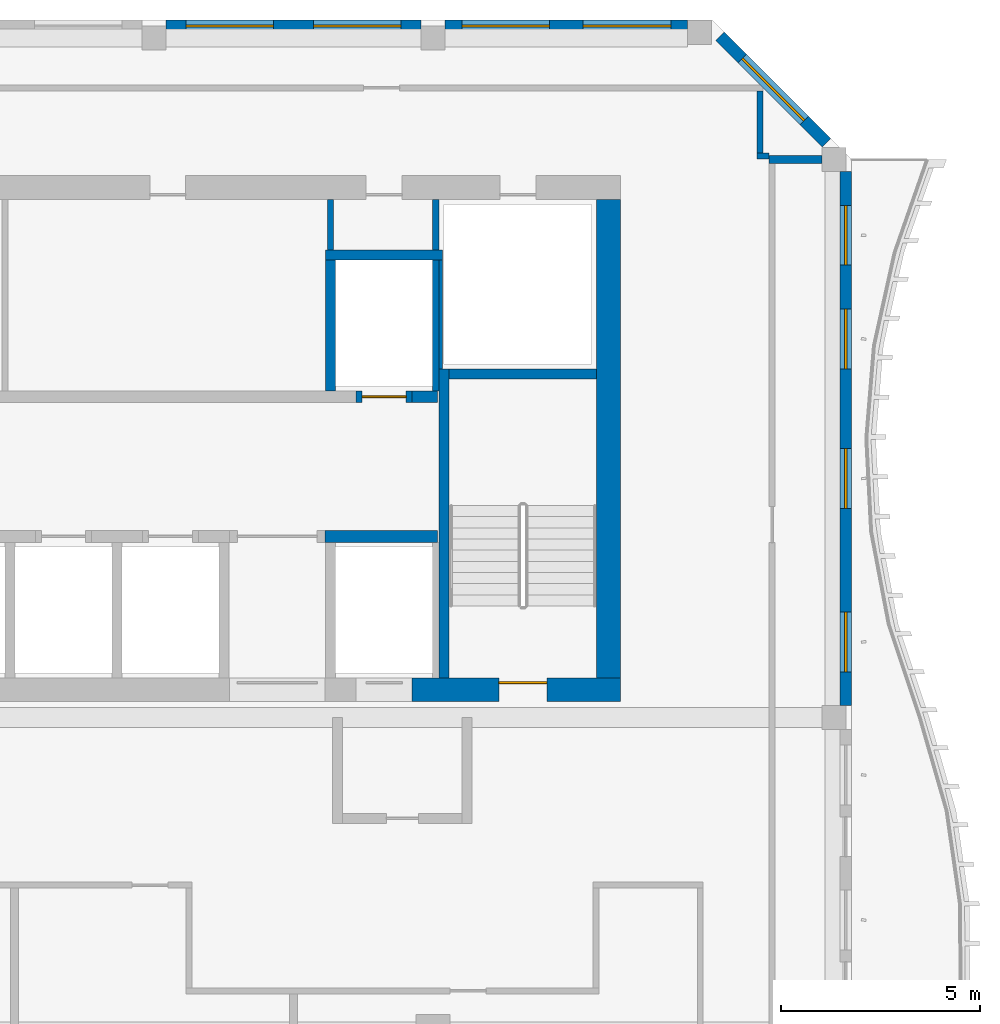
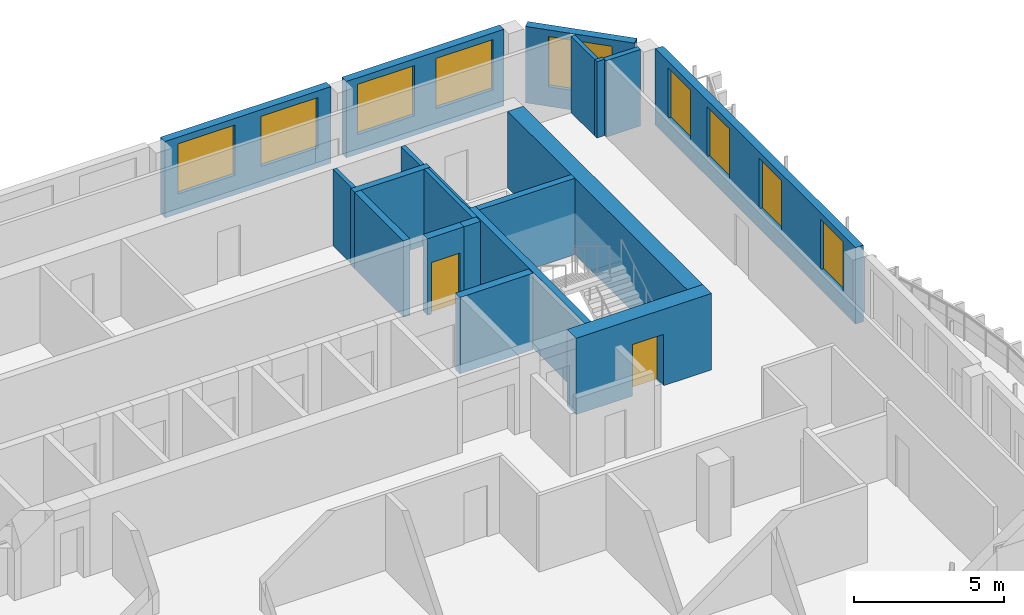
# One storey, part 8 of 17: 20 walls, 9 windows, 2 doors, 11 openings.
"""IFC4 building model written with IfcOpenShell, lengths in metres."""

import ifcopenshell
import ifcopenshell.guid

model = None  # the IFC model being written
_history = None  # IfcOwnerHistory: only IFC2X3 demands one
_inside = {}  # id of a spatial element -> (the spatial element, [elements in it])
_under = {}  # id of a project, library or spatial element -> (it, [spatial elements below it])
_declared = {}  # id of a project -> (the project, [libraries it declares])
_typed = {}  # id of a type object -> (the type object, [elements of that type])
_made_of = {}  # id of a material, layer set ... -> (it, [elements and type objects made of it])


def new_model(schema):
    """Start an empty IFC model of exactly this schema.

    Asked for "IFC4X3", IfcOpenShell would pick the latest addendum, in which some entities
    have other attributes; the version numbers below select the first issue.
    IFC2X3 requires an IfcOwnerHistory on every rooted entity: one is made here for all.
    """
    global model, _history
    if schema == "IFC4X3":
        model = ifcopenshell.file(schema_version=(4, 3, 0, 0))
    else:
        model = ifcopenshell.file(schema=schema)
    _inside.clear()
    _under.clear()
    _declared.clear()
    _typed.clear()
    _made_of.clear()
    _history = None
    if model.schema == "IFC2X3":
        org = make("IfcOrganization", Name="unknown")
        user = make(
            "IfcPersonAndOrganization",
            ThePerson=make("IfcPerson", FamilyName="unknown"),
            TheOrganization=org,
        )
        app = make(
            "IfcApplication",
            ApplicationDeveloper=org,
            Version="unknown",
            ApplicationFullName="unknown",
            ApplicationIdentifier="unknown",
        )
        _history = make(
            "IfcOwnerHistory",
            OwningUser=user,
            OwningApplication=app,
            ChangeAction="ADDED",
            CreationDate=0,
        )
    return model


def make(cls, **values):
    """One entity of the class cls with the attributes given. An attribute that is None is left unset."""
    return model.create_entity(
        cls, **{name: value for name, value in values.items() if value is not None}
    )


def rooted(cls, **values):
    """An entity with a GlobalId (a new one), such as an element, a storey or a relation."""
    return make(cls, GlobalId=ifcopenshell.guid.new(), OwnerHistory=_history, **values)


def si_unit(unit_type, name, prefix=None):
    """IfcSIUnit, for example si_unit("LENGTHUNIT", "METRE", prefix="MILLI")."""
    return make("IfcSIUnit", UnitType=unit_type, Prefix=prefix, Name=name)


def assignment(units):
    """IfcUnitAssignment: the units of a project."""
    return None if units is None else make("IfcUnitAssignment", Units=units)


def point(xyz):
    """IfcCartesianPoint."""
    return None if xyz is None else make("IfcCartesianPoint", Coordinates=xyz)


def direction(xyz):
    """IfcDirection."""
    return None if xyz is None else make("IfcDirection", DirectionRatios=xyz)


def frame(location, z_axis=None, x_axis=None):
    """IfcAxis2Placement3D, a coordinate frame: its origin and axes. An axis left out is left unset."""
    return make(
        "IfcAxis2Placement3D",
        Location=point(location),
        Axis=direction(z_axis),
        RefDirection=direction(x_axis),
    )


def frame_2d(location, x_axis=None):
    """IfcAxis2Placement2D, a coordinate frame in the plane: its origin and x axis."""
    return make(
        "IfcAxis2Placement2D", Location=point(location), RefDirection=direction(x_axis)
    )


def origin():
    """The frame at (0, 0, 0) with its axes left unset."""
    return frame((0.0, 0.0, 0.0))


def place(relative_to, where):
    """IfcLocalPlacement: puts the frame where relative to a parent placement (None: the world)."""
    return make(
        "IfcLocalPlacement", PlacementRelTo=relative_to, RelativePlacement=where
    )


def context(
    kind, dimensions, precision=None, world=None, true_north=None, identifier=None
):
    """IfcGeometricRepresentationContext, for example the 3D "Model" context."""
    return make(
        "IfcGeometricRepresentationContext",
        ContextIdentifier=identifier,
        ContextType=kind,
        CoordinateSpaceDimension=dimensions,
        Precision=precision,
        WorldCoordinateSystem=world,
        TrueNorth=true_north,
    )


def subcontext(parent, identifier, kind, view, scale=None):
    """IfcGeometricRepresentationSubContext, for example "Body" below "Model"."""
    return make(
        "IfcGeometricRepresentationSubContext",
        ContextIdentifier=identifier,
        ContextType=kind,
        ParentContext=parent,
        TargetScale=scale,
        TargetView=view,
    )


def project(units=None, contexts=None):
    """IfcProject with its units and contexts."""
    return rooted(
        "IfcProject",
        Name="project",
        RepresentationContexts=contexts,
        UnitsInContext=assignment(units),
    )


def spatial(cls, under=None, at=None, **own):
    """A site, building, storey or space (cls), placed at a placement, below another one or the project."""
    s = rooted(cls, ObjectPlacement=at, **own)
    if under is not None:
        _under.setdefault(under.id(), (under, []))[1].append(s)
    return s


def profile(cls, at=None, kind="AREA", **sizes):
    """A parametric profile (cls). Its sizes go by their IFC names, for example OverallWidth=200.0."""
    return make(cls, ProfileType=kind, Position=at, **sizes)


def rectangle(**sizes):
    """IfcRectangleProfileDef."""
    return profile("IfcRectangleProfileDef", **sizes)


def extrude(swept, where, along, depth):
    """IfcExtrudedAreaSolid: the profile swept, set in the frame where, extruded along a direction by depth."""
    return make(
        "IfcExtrudedAreaSolid",
        SweptArea=swept,
        Position=where,
        ExtrudedDirection=direction(along),
        Depth=depth,
    )


def shape(context_of_items, identifier, shape_type, items):
    """IfcShapeRepresentation: the items that make up one representation, for example the "Body"."""
    return make(
        "IfcShapeRepresentation",
        ContextOfItems=context_of_items,
        RepresentationIdentifier=identifier,
        RepresentationType=shape_type,
        Items=items,
    )


def source(mapping_origin, context_of_items, identifier, shape_type, items):
    """IfcRepresentationMap: a shape defined once, which mapped items show again and again."""
    return make(
        "IfcRepresentationMap",
        MappingOrigin=mapping_origin,
        MappedRepresentation=shape(context_of_items, identifier, shape_type, items),
    )


def transform(
    local_origin,
    x_axis=None,
    y_axis=None,
    z_axis=None,
    scale=None,
    scale2=None,
    scale3=None,
    uniform=True,
):
    """IfcCartesianTransformationOperator3D, or its non-uniform kind. x_axis, y_axis, z_axis: its Axis1, 2, 3."""
    if uniform:
        return make(
            "IfcCartesianTransformationOperator3D",
            Axis1=direction(x_axis),
            Axis2=direction(y_axis),
            LocalOrigin=point(local_origin),
            Scale=scale,
            Axis3=direction(z_axis),
        )
    return make(
        "IfcCartesianTransformationOperator3DnonUniform",
        Axis1=direction(x_axis),
        Axis2=direction(y_axis),
        LocalOrigin=point(local_origin),
        Scale=scale,
        Axis3=direction(z_axis),
        Scale2=scale2,
        Scale3=scale3,
    )


def mapped(mapping_source, mapping_target):
    """IfcMappedItem: shows the shape of a source again, moved by a transform."""
    return make(
        "IfcMappedItem", MappingSource=mapping_source, MappingTarget=mapping_target
    )


def material(Name=None, Category=None):
    """IfcMaterial."""
    return make("IfcMaterial", Name=Name, Category=Category)


def layer(
    of_material, thickness, ventilated=None, Name=None, Category=None, Priority=None
):
    """IfcMaterialLayer: one layer of a wall or slab, of a material (None: an air gap)."""
    return make(
        "IfcMaterialLayer",
        Material=of_material,
        LayerThickness=thickness,
        IsVentilated=ventilated,
        Name=Name,
        Category=Category,
        Priority=Priority,
    )


def layer_set(layers, Name=None):
    """IfcMaterialLayerSet."""
    return make("IfcMaterialLayerSet", MaterialLayers=layers, LayerSetName=Name)


def made_of(thing, what):
    """Note that an element or type object is made of a material, layer set ...; save() writes the relation."""
    if what is not None:
        _made_of.setdefault(what.id(), (what, []))[1].append(thing)
    return thing


def type_object(cls, material=None, **own):
    """A type object (cls), such as IfcWallType, which elements share."""
    return made_of(rooted(cls, **own), material)


def element(
    cls,
    number,
    at=None,
    inside=None,
    cuts=None,
    type_object=None,
    material=None,
    context=None,
    identifier="Body",
    shape_type=None,
    held_by="IfcProductDefinitionShape",
    body=None,
    shapes=None,
    **own,
):
    """One element of the class cls, such as IfcWall. Its Tag is "e" and its number.

    at: its placement. inside: the storey or other place that contains it. cuts: it is an
    opening in that element (IfcRelVoidsElement). A single representation is given by context,
    identifier, shape_type and body (its items); several are given by shapes. held_by: the class
    of the entity that holds the representations. save() writes the other relations.
    """
    e = rooted(cls, Tag="e%d" % number, ObjectPlacement=at, **own)
    if body is not None:
        shapes = [shape(context, identifier, shape_type, body)]
    if shapes is not None:
        e.Representation = make(held_by, Representations=shapes)
    if inside is not None:
        _inside.setdefault(inside.id(), (inside, []))[1].append(e)
    if cuts is not None:
        rooted(
            "IfcRelVoidsElement", RelatingBuildingElement=cuts, RelatedOpeningElement=e
        )
    if type_object is not None:
        _typed.setdefault(type_object.id(), (type_object, []))[1].append(e)
    return made_of(e, material)


def fill(opening, filler):
    """IfcRelFillsElement: the door or window that sits in an opening."""
    return rooted(
        "IfcRelFillsElement",
        RelatingOpeningElement=opening,
        RelatedBuildingElement=filler,
    )


def aggregate(whole, parts):
    """IfcRelAggregates: a whole, such as a stair, and the parts it consists of."""
    return rooted("IfcRelAggregates", RelatingObject=whole, RelatedObjects=parts)


def save(model, path):
    """Write the relations noted so far, then the file.

    IfcRelAggregates (storeys below a building ...), IfcRelContainedInSpatialStructure (elements
    in a storey), IfcRelDefinesByType, IfcRelAssociatesMaterial and IfcRelDeclares: one each for
    every whole, place, type object, material and project.
    """
    for whole, parts in _under.values():
        aggregate(whole, parts)
    for where, things in _inside.values():
        rooted(
            "IfcRelContainedInSpatialStructure",
            RelatedElements=things,
            RelatingStructure=where,
        )
    for kind, things in _typed.values():
        rooted("IfcRelDefinesByType", RelatedObjects=things, RelatingType=kind)
    for what, things in _made_of.values():
        rooted("IfcRelAssociatesMaterial", RelatedObjects=things, RelatingMaterial=what)
    for by, libraries in _declared.values():
        rooted("IfcRelDeclares", RelatingContext=by, RelatedDefinitions=libraries)
    model.write(path)


model = new_model("IFC4")

# Units and contexts
model_context = context("Model", 3, precision=1e-05, world=origin(), true_north=direction((0.0, 1.0)))
body_context = subcontext(model_context, "Body", "Model", "MODEL_VIEW")
ifc_project = project(units=[si_unit("LENGTHUNIT", "METRE"), si_unit("AREAUNIT", "SQUARE_METRE"), si_unit("VOLUMEUNIT", "CUBIC_METRE"), si_unit("PLANEANGLEUNIT", "RADIAN"), si_unit("MASSUNIT", "GRAM", prefix="KILO")], contexts=[model_context])

# Site, building, storey
site_placement = place(None, origin())
site = spatial("IfcSite", under=ifc_project, at=site_placement, CompositionType="ELEMENT")
building_placement = place(site_placement, origin())
building = spatial("IfcBuilding", under=site, at=building_placement, Name="Kilnfold Tower and Market Hall", CompositionType="ELEMENT")
storey_placement = place(building_placement, frame((0.0, 0.0, 308.60009765625)))
storey = spatial("IfcBuildingStorey", under=building, at=storey_placement, Name="L77", CompositionType="ELEMENT", Elevation=308.60009765625)

# Walls
ifc_material_1 = material(Name="Gypsum board on steel studs", Category="steel")
ifc_layer_1 = layer(ifc_material_1, 0.14990234375)
ifc_layer_set_1 = layer_set([ifc_layer_1], Name="Gypsum board on steel studs")
wall_type_1 = type_object("IfcWallType", Name="WALL CORRIDOR 150", PredefinedType="PARTITIONING", material=ifc_layer_set_1)
wall_1_placement = place(storey_placement, frame((21.199951171875, 22.1630859375, 0.0), z_axis=(0.0, 0.0, 1.0), x_axis=(0.0, 1.0, 0.0)))
element("IfcWall", 1, at=wall_1_placement, inside=storey, type_object=wall_type_1, Name="Partition LY46.8", PredefinedType="PARTITIONING", context=body_context, shape_type="SweptSolid", body=[
    extrude(rectangle(XDim=1.56201171875, YDim=0.14990234375, at=frame_2d((0.781005859375, 0.0))), origin(), (0.0, 0.0, 1.0), 3.119873046875),
])
wall_2_placement = place(storey_placement, frame((21.427001953125, 22.087890625, 0.0), z_axis=(0.0, 0.0, 1.0), x_axis=(-1.0, 0.0, 0.0)))
element("IfcWall", 2, at=wall_2_placement, inside=storey, type_object=wall_type_1, Name="Partition LY46.9", PredefinedType="PARTITIONING", context=body_context, shape_type="SweptSolid", body=[
    extrude(rectangle(XDim=0.302001953125, YDim=0.14990234375, at=frame_2d((0.15087890625, 0.0))), origin(), (0.0, 0.0, 1.0), 3.119873046875),
])
ifc_material_2 = material(Name="Gypsum board on steel studs", Category="steel")
ifc_layer_2 = layer(ifc_material_2, 0.199951171875)
ifc_layer_set_2 = layer_set([ifc_layer_2], Name="Gypsum board on steel studs")
wall_type_2 = type_object("IfcWallType", Name="WALL PARTY 200", PredefinedType="PARTITIONING", material=ifc_layer_set_2)
wall_3_placement = place(storey_placement, frame((22.75, 22.0, 0.0), z_axis=(0.0, 0.0, 1.0), x_axis=(-1.0, 0.0, 0.0)))
element("IfcWall", 3, at=wall_3_placement, inside=storey, type_object=wall_type_2, Name="Partition LY46.58", PredefinedType="PARTITIONING", context=body_context, shape_type="SweptSolid", body=[
    extrude(rectangle(XDim=1.322998046875, YDim=0.199951171875, at=frame_2d((0.66162109375, 0.0))), origin(), (0.0, 0.0, 1.0), 3.119873046875),
])
ifc_material_3 = material(Name="Concrete C50", Category="concrete")
ifc_layer_3 = layer(ifc_material_3, 0.25)
ifc_layer_set_3 = layer_set([ifc_layer_3], Name="Concrete C50")
wall_type_3 = type_object("IfcWallType", Name="CORE WALL 250 C50", PredefinedType="SHEAR", material=ifc_layer_set_3)
shared_shape_1 = source(origin(), body_context, "Body", "SweptSolid", [
    extrude(rectangle(XDim=7.75, YDim=0.25, at=frame_2d((3.875, 0.0))), origin(), (0.0, 0.0, 1.0), 3.119873046875),
])
wall_4_placement = place(storey_placement, frame((13.27490234375, 9.0, 0.0), z_axis=(0.0, 0.0, 1.0), x_axis=(0.0, 1.0, 0.0)))
element("IfcWall", 4, at=wall_4_placement, inside=storey, type_object=wall_type_3, Name="Stair enclosure ST2", PredefinedType="SHEAR", context=body_context, shape_type="MappedRepresentation", body=[
    mapped(shared_shape_1, transform((0.0, 0.0, 0.0))),
])
shared_shape_2 = source(origin(), body_context, "Body", "SweptSolid", [
    extrude(rectangle(XDim=3.7001953125, YDim=0.25, at=frame_2d((1.85009765625, 0.0))), origin(), (0.0, 0.0, 1.0), 3.119873046875),
])
wall_5_placement = place(storey_placement, frame((13.39990234375, 16.625, 0.0), z_axis=(0.0, 0.0, 1.0), x_axis=(1.0, 0.0, 0.0)))
element("IfcWall", 5, at=wall_5_placement, inside=storey, type_object=wall_type_3, Name="Stair enclosure ST2", PredefinedType="SHEAR", context=body_context, shape_type="MappedRepresentation", body=[
    mapped(shared_shape_2, transform((0.0, 0.0, 0.0))),
])
ifc_material_4 = material(Name="Concrete C50", Category="concrete")
ifc_layer_4 = layer(ifc_material_4, 0.300048828125)
ifc_layer_set_4 = layer_set([ifc_layer_4], Name="Concrete C50")
wall_type_4 = type_object("IfcWallType", Name="CORE WALL 300 C50", PredefinedType="SHEAR", material=ifc_layer_set_4)
shared_shape_3 = source(origin(), body_context, "Body", "SweptSolid", [
    extrude(rectangle(XDim=2.820068359375, YDim=0.300048828125, at=frame_2d((1.41015625, 0.0))), origin(), (0.0, 0.0, 1.0), 3.119873046875),
])
wall_6_placement = place(storey_placement, frame((10.2900390625, 12.550048828125, 0.0), z_axis=(0.0, 0.0, 1.0), x_axis=(1.0, 0.0, 0.0)))
element("IfcWall", 6, at=wall_6_placement, inside=storey, type_object=wall_type_4, Name="Core spine wall", PredefinedType="SHEAR", context=body_context, shape_type="MappedRepresentation", body=[
    mapped(shared_shape_3, transform((0.0, 0.0, 0.0))),
])
shared_shape_4 = source(origin(), body_context, "Body", "SweptSolid", [
    extrude(rectangle(XDim=0.64013671875, YDim=0.300048828125, at=frame_2d((0.320068359375, 0.0))), origin(), (0.0, 0.0, 1.0), 3.119873046875),
])
wall_7_placement = place(storey_placement, frame((12.469970703125, 16.050048828125, 0.0), z_axis=(0.0, 0.0, 1.0), x_axis=(1.0, 0.0, 0.0)))
element("IfcWall", 7, at=wall_7_placement, inside=storey, type_object=wall_type_4, Name="Core spine wall", PredefinedType="SHEAR", context=body_context, shape_type="MappedRepresentation", body=[
    mapped(shared_shape_4, transform((0.0, 0.0, 0.0))),
])

# Wall, opening, door
ifc_material_5 = material(Name="Concrete C50", Category="concrete")
ifc_layer_5 = layer(ifc_material_5, 0.60009765625)
ifc_layer_set_5 = layer_set([ifc_layer_5], Name="Concrete C50")
wall_type_5 = type_object("IfcWallType", Name="CORE WALL 600 C50", PredefinedType="SHEAR", material=ifc_layer_set_5)
shared_shape_5 = source(origin(), body_context, "Body", "SweptSolid", [
    extrude(rectangle(XDim=5.22998046875, YDim=0.60009765625, at=frame_2d((2.614990234375, 0.0))), origin(), (0.0, 0.0, 1.0), 3.119873046875),
])
wall_8_placement = place(storey_placement, frame((12.469970703125, 8.699951171875, 0.0), z_axis=(0.0, 0.0, 1.0), x_axis=(1.0, 0.0, 0.0)))
wall_8 = element("IfcWall", 8, at=wall_8_placement, inside=storey, type_object=wall_type_5, Name="Core outer wall south", PredefinedType="SHEAR", context=body_context, shape_type="MappedRepresentation", body=[
    mapped(shared_shape_5, transform((0.0, 0.0, 0.0))),
])
opening_1_placement = place(wall_8_placement, frame((2.179931640625, 0.0, 0.0)))
opening_1 = element("IfcOpeningElement", 9, at=opening_1_placement, cuts=wall_8, Name="Opening SD1", PredefinedType="OPENING", context=body_context, shape_type="SweptSolid", body=[
    extrude(rectangle(XDim=1.199951171875, YDim=2.10009765625, at=frame_2d((0.60009765625, 1.050048828125))), frame((0.0, 0.31005859375, 0.0), z_axis=(0.0, -1.0, 0.0), x_axis=(1.0, 0.0, 0.0)), (0.0, 0.0, 1.0), 0.6201171875),
])
ifc_material_6 = material(Name="Steel door set with fire-resisting leaf", Category="steel")
door_type_1 = type_object("IfcDoorType", Name="STAIR FLOOR DOOR 1200X2100", OperationType="NOTDEFINED", PredefinedType="DOOR", material=ifc_material_6)
door_1_placement = place(opening_1_placement, origin())
door_1 = element("IfcDoor", 10, at=door_1_placement, inside=storey, type_object=door_type_1, Name="Exit stair ST2 door", OperationType="DOUBLE_DOOR_SINGLE_SWING", OverallHeight=2.10009765625, OverallWidth=1.199951171875, PredefinedType="DOOR", context=body_context, shape_type="SweptSolid", body=[
    extrude(rectangle(XDim=1.199951171875, YDim=2.10009765625, at=frame_2d((0.60009765625, 1.050048828125))), frame((0.0, 0.205078125, 0.0), z_axis=(0.0, -1.0, 0.0), x_axis=(1.0, 0.0, 0.0)), (0.0, 0.0, 1.0), 0.050048828125),
])
fill(opening_1, door_1)

# Wall
shared_shape_6 = source(origin(), body_context, "Body", "SweptSolid", [
    extrude(rectangle(XDim=12.0, YDim=0.60009765625, at=frame_2d((6.0, 0.0))), origin(), (0.0, 0.0, 1.0), 3.119873046875),
])
wall_9_placement = place(storey_placement, frame((17.39990234375, 9.0, 0.0), z_axis=(0.0, 0.0, 1.0), x_axis=(0.0, 1.0, 0.0)))
element("IfcWall", 11, at=wall_9_placement, inside=storey, type_object=wall_type_5, Name="Core outer wall east", PredefinedType="SHEAR", context=body_context, shape_type="MappedRepresentation", body=[
    mapped(shared_shape_6, transform((0.0, 0.0, 0.0))),
])

# Wall, openings, windows
ifc_material_7 = material(Name="Precast concrete C50/60", Category="concrete")
ifc_layer_6 = layer(ifc_material_7, 0.300048828125)
ifc_layer_set_6 = layer_set([ifc_layer_6], Name="Precast concrete C50/60")
wall_type_6 = type_object("IfcWallType", Name="PRECAST WALL 300", PredefinedType="SOLIDWALL", material=ifc_layer_set_6)
shared_shape_7 = source(origin(), body_context, "Body", "SweptSolid", [
    extrude(rectangle(XDim=6.39990234375, YDim=0.300048828125, at=frame_2d((3.199951171875, 0.0))), origin(), (0.0, 0.0, 1.0), 3.119873046875),
])
wall_10_placement = place(storey_placement, frame((12.699951171875, 25.35009765625, 0.0), z_axis=(0.0, 0.0, 1.0), x_axis=(-1.0, 0.0, 0.0)))
wall_10 = element("IfcWall", 12, at=wall_10_placement, inside=storey, type_object=wall_type_6, Name="External wall L77 N", PredefinedType="SOLIDWALL", context=body_context, shape_type="MappedRepresentation", body=[
    mapped(shared_shape_7, transform((0.0, 0.0, 0.0))),
])
opening_2_placement = place(wall_10_placement, frame((0.5, 0.0, 0.800048828125)))
opening_2 = element("IfcOpeningElement", 13, at=opening_2_placement, cuts=wall_10, Name="Opening W3", PredefinedType="OPENING", context=body_context, shape_type="SweptSolid", body=[
    extrude(rectangle(XDim=2.199951171875, YDim=2.050048828125, at=frame_2d((1.10009765625, 1.02490234375))), frame((0.0, 0.16015625, 0.0), z_axis=(0.0, -1.0, 0.0), x_axis=(1.0, 0.0, 0.0)), (0.0, 0.0, 1.0), 0.320068359375),
])
opening_3_placement = place(wall_10_placement, frame((3.699951171875, 0.0, 0.800048828125)))
opening_3 = element("IfcOpeningElement", 14, at=opening_3_placement, cuts=wall_10, Name="Opening W3", PredefinedType="OPENING", context=body_context, shape_type="SweptSolid", body=[
    extrude(rectangle(XDim=2.199951171875, YDim=2.050048828125, at=frame_2d((1.10009765625, 1.02490234375))), frame((0.0, 0.16015625, 0.0), z_axis=(0.0, -1.0, 0.0), x_axis=(1.0, 0.0, 0.0)), (0.0, 0.0, 1.0), 0.320068359375),
])
ifc_material_8 = material(Name="Aluminium frame and double glazing", Category="aluminium")
window_type_1 = type_object("IfcWindowType", Name="WINDOW W3 2200X2050", PartitioningType="SINGLE_PANEL", PredefinedType="WINDOW", material=ifc_material_8)
window_1_placement = place(opening_2_placement, origin())
window_1 = element("IfcWindow", 15, at=window_1_placement, inside=storey, type_object=window_type_1, Name="Window W3 L77 N-1", OverallHeight=2.050048828125, OverallWidth=2.199951171875, PartitioningType="SINGLE_PANEL", PredefinedType="WINDOW", context=body_context, shape_type="SweptSolid", body=[
    extrude(rectangle(XDim=2.199951171875, YDim=2.050048828125, at=frame_2d((1.10009765625, 1.02490234375))), frame((0.0, 0.030029296875, 0.0), z_axis=(0.0, -1.0, 0.0), x_axis=(1.0, 0.0, 0.0)), (0.0, 0.0, 1.0), 0.06005859375),
])
fill(opening_2, window_1)
window_2_placement = place(opening_3_placement, origin())
window_2 = element("IfcWindow", 16, at=window_2_placement, inside=storey, type_object=window_type_1, Name="Window W3 L77 N-2", OverallHeight=2.050048828125, OverallWidth=2.199951171875, PartitioningType="SINGLE_PANEL", PredefinedType="WINDOW", context=body_context, shape_type="SweptSolid", body=[
    extrude(rectangle(XDim=2.199951171875, YDim=2.050048828125, at=frame_2d((1.10009765625, 1.02490234375))), frame((0.0, 0.030029296875, 0.0), z_axis=(0.0, -1.0, 0.0), x_axis=(1.0, 0.0, 0.0)), (0.0, 0.0, 1.0), 0.06005859375),
])
fill(opening_3, window_2)

# Wall, opening, window
shared_shape_8 = source(origin(), body_context, "Body", "SweptSolid", [
    extrude(rectangle(XDim=3.783203125, YDim=0.300048828125, at=frame_2d((1.8916015625, 0.0))), origin(), (0.0, 0.0, 1.0), 3.119873046875),
])
wall_11_placement = place(storey_placement, frame((22.868896484375, 22.4189453125, 0.0), z_axis=(0.0, 0.0, 1.0), x_axis=(-0.707106781187, 0.707106781187, 0.0)))
wall_11 = element("IfcWall", 17, at=wall_11_placement, inside=storey, type_object=wall_type_6, Name="External wall L77 NE", PredefinedType="SOLIDWALL", context=body_context, shape_type="MappedRepresentation", body=[
    mapped(shared_shape_8, transform((0.0, 0.0, 0.0))),
])
opening_4_placement = place(wall_11_placement, frame((0.79150390625, 0.0, 0.800048828125)))
opening_4 = element("IfcOpeningElement", 18, at=opening_4_placement, cuts=wall_11, Name="Opening W3", PredefinedType="OPENING", context=body_context, shape_type="SweptSolid", body=[
    extrude(rectangle(XDim=2.199951171875, YDim=2.050048828125, at=frame_2d((1.10009765625, 1.02490234375))), frame((0.0, 0.16015625, 0.0), z_axis=(0.0, -1.0, 0.0), x_axis=(1.0, 0.0, 0.0)), (0.0, 0.0, 1.0), 0.320068359375),
])
window_3_placement = place(opening_4_placement, origin())
window_3 = element("IfcWindow", 19, at=window_3_placement, inside=storey, type_object=window_type_1, Name="Window W3 L77 NE-1", OverallHeight=2.050048828125, OverallWidth=2.199951171875, PartitioningType="SINGLE_PANEL", PredefinedType="WINDOW", context=body_context, shape_type="SweptSolid", body=[
    extrude(rectangle(XDim=2.199951171875, YDim=2.050048828125, at=frame_2d((1.10009765625, 1.02490234375))), frame((0.0, 0.030029296875, 0.0), z_axis=(0.0, -1.0, 0.0), x_axis=(1.0, 0.0, 0.0)), (0.0, 0.0, 1.0), 0.06005859375),
])
fill(opening_4, window_3)

# Wall, openings, windows
shared_shape_9 = source(origin(), body_context, "Body", "SweptSolid", [
    extrude(rectangle(XDim=13.39990234375, YDim=0.300048828125, at=frame_2d((6.699951171875, 0.0))), origin(), (0.0, 0.0, 1.0), 3.119873046875),
])
wall_12_placement = place(storey_placement, frame((23.35009765625, 8.300048828125, 0.0), z_axis=(0.0, 0.0, 1.0), x_axis=(0.0, 1.0, 0.0)))
wall_12 = element("IfcWall", 20, at=wall_12_placement, inside=storey, type_object=wall_type_6, Name="External wall L77 E", PredefinedType="SOLIDWALL", context=body_context, shape_type="MappedRepresentation", body=[
    mapped(shared_shape_9, transform((0.0, 0.0, 0.0))),
])
opening_5_placement = place(wall_12_placement, frame((0.85009765625, 0.0, 0.800048828125)))
opening_5 = element("IfcOpeningElement", 21, at=opening_5_placement, cuts=wall_12, Name="Opening W5", PredefinedType="OPENING", context=body_context, shape_type="SweptSolid", body=[
    extrude(rectangle(XDim=1.5, YDim=2.050048828125, at=frame_2d((0.75, 1.02490234375))), frame((0.0, 0.16015625, 0.0), z_axis=(0.0, -1.0, 0.0), x_axis=(1.0, 0.0, 0.0)), (0.0, 0.0, 1.0), 0.320068359375),
])
opening_6_placement = place(wall_12_placement, frame((4.949951171875, 0.0, 0.800048828125)))
opening_6 = element("IfcOpeningElement", 22, at=opening_6_placement, cuts=wall_12, Name="Opening W5", PredefinedType="OPENING", context=body_context, shape_type="SweptSolid", body=[
    extrude(rectangle(XDim=1.5, YDim=2.050048828125, at=frame_2d((0.75, 1.02490234375))), frame((0.0, 0.16015625, 0.0), z_axis=(0.0, -1.0, 0.0), x_axis=(1.0, 0.0, 0.0)), (0.0, 0.0, 1.0), 0.320068359375),
])
opening_7_placement = place(wall_12_placement, frame((8.449951171875, 0.0, 0.800048828125)))
opening_7 = element("IfcOpeningElement", 23, at=opening_7_placement, cuts=wall_12, Name="Opening W5", PredefinedType="OPENING", context=body_context, shape_type="SweptSolid", body=[
    extrude(rectangle(XDim=1.5, YDim=2.050048828125, at=frame_2d((0.75, 1.02490234375))), frame((0.0, 0.16015625, 0.0), z_axis=(0.0, -1.0, 0.0), x_axis=(1.0, 0.0, 0.0)), (0.0, 0.0, 1.0), 0.320068359375),
])
opening_8_placement = place(wall_12_placement, frame((11.050048828125, 0.0, 0.800048828125)))
opening_8 = element("IfcOpeningElement", 24, at=opening_8_placement, cuts=wall_12, Name="Opening W5", PredefinedType="OPENING", context=body_context, shape_type="SweptSolid", body=[
    extrude(rectangle(XDim=1.5, YDim=2.050048828125, at=frame_2d((0.75, 1.02490234375))), frame((0.0, 0.16015625, 0.0), z_axis=(0.0, -1.0, 0.0), x_axis=(1.0, 0.0, 0.0)), (0.0, 0.0, 1.0), 0.320068359375),
])
ifc_material_9 = material(Name="Aluminium frame and double glazing", Category="aluminium")
window_type_2 = type_object("IfcWindowType", Name="WINDOW W5 1500X2050", PartitioningType="SINGLE_PANEL", PredefinedType="WINDOW", material=ifc_material_9)
window_4_placement = place(opening_5_placement, origin())
window_4 = element("IfcWindow", 25, at=window_4_placement, inside=storey, type_object=window_type_2, Name="Window W5 L77 E-1", OverallHeight=2.050048828125, OverallWidth=1.5, PartitioningType="SINGLE_PANEL", PredefinedType="WINDOW", context=body_context, shape_type="SweptSolid", body=[
    extrude(rectangle(XDim=1.5, YDim=2.050048828125, at=frame_2d((0.75, 1.02490234375))), frame((0.0, 0.030029296875, 0.0), z_axis=(0.0, -1.0, 0.0), x_axis=(1.0, 0.0, 0.0)), (0.0, 0.0, 1.0), 0.06005859375),
])
fill(opening_5, window_4)
window_5_placement = place(opening_6_placement, origin())
window_5 = element("IfcWindow", 26, at=window_5_placement, inside=storey, type_object=window_type_2, Name="Window W5 L77 E-2", OverallHeight=2.050048828125, OverallWidth=1.5, PartitioningType="SINGLE_PANEL", PredefinedType="WINDOW", context=body_context, shape_type="SweptSolid", body=[
    extrude(rectangle(XDim=1.5, YDim=2.050048828125, at=frame_2d((0.75, 1.02490234375))), frame((0.0, 0.030029296875, 0.0), z_axis=(0.0, -1.0, 0.0), x_axis=(1.0, 0.0, 0.0)), (0.0, 0.0, 1.0), 0.06005859375),
])
fill(opening_6, window_5)
window_6_placement = place(opening_7_placement, origin())
window_6 = element("IfcWindow", 27, at=window_6_placement, inside=storey, type_object=window_type_2, Name="Window W5 L77 E-3", OverallHeight=2.050048828125, OverallWidth=1.5, PartitioningType="SINGLE_PANEL", PredefinedType="WINDOW", context=body_context, shape_type="SweptSolid", body=[
    extrude(rectangle(XDim=1.5, YDim=2.050048828125, at=frame_2d((0.75, 1.02490234375))), frame((0.0, 0.030029296875, 0.0), z_axis=(0.0, -1.0, 0.0), x_axis=(1.0, 0.0, 0.0)), (0.0, 0.0, 1.0), 0.06005859375),
])
fill(opening_7, window_6)
window_7_placement = place(opening_8_placement, origin())
window_7 = element("IfcWindow", 28, at=window_7_placement, inside=storey, type_object=window_type_2, Name="Window W5 L77 E-4", OverallHeight=2.050048828125, OverallWidth=1.5, PartitioningType="SINGLE_PANEL", PredefinedType="WINDOW", context=body_context, shape_type="SweptSolid", body=[
    extrude(rectangle(XDim=1.5, YDim=2.050048828125, at=frame_2d((0.75, 1.02490234375))), frame((0.0, 0.030029296875, 0.0), z_axis=(0.0, -1.0, 0.0), x_axis=(1.0, 0.0, 0.0)), (0.0, 0.0, 1.0), 0.06005859375),
])
fill(opening_8, window_7)

shared_shape_10 = source(origin(), body_context, "Body", "SweptSolid", [
    extrude(rectangle(XDim=6.081787109375, YDim=0.300048828125, at=frame_2d((3.041015625, 0.0))), origin(), (0.0, 0.0, 1.0), 3.119873046875),
])
wall_13_placement = place(storey_placement, frame((19.3818359375, 25.35009765625, 0.0), z_axis=(0.0, 0.0, 1.0), x_axis=(-1.0, 0.0, 0.0)))
wall_13 = element("IfcWall", 29, at=wall_13_placement, inside=storey, type_object=wall_type_6, Name="External wall L77 N", PredefinedType="SOLIDWALL", context=body_context, shape_type="MappedRepresentation", body=[
    mapped(shared_shape_10, transform((0.0, 0.0, 0.0))),
])
opening_9_placement = place(wall_13_placement, frame((0.42041015625, 0.0, 0.800048828125)))
opening_9 = element("IfcOpeningElement", 30, at=opening_9_placement, cuts=wall_13, Name="Opening W3", PredefinedType="OPENING", context=body_context, shape_type="SweptSolid", body=[
    extrude(rectangle(XDim=2.199951171875, YDim=2.050048828125, at=frame_2d((1.10009765625, 1.02490234375))), frame((0.0, 0.16015625, 0.0), z_axis=(0.0, -1.0, 0.0), x_axis=(1.0, 0.0, 0.0)), (0.0, 0.0, 1.0), 0.320068359375),
])
opening_10_placement = place(wall_13_placement, frame((3.461181640625, 0.0, 0.800048828125)))
opening_10 = element("IfcOpeningElement", 31, at=opening_10_placement, cuts=wall_13, Name="Opening W3", PredefinedType="OPENING", context=body_context, shape_type="SweptSolid", body=[
    extrude(rectangle(XDim=2.199951171875, YDim=2.050048828125, at=frame_2d((1.10009765625, 1.02490234375))), frame((0.0, 0.16015625, 0.0), z_axis=(0.0, -1.0, 0.0), x_axis=(1.0, 0.0, 0.0)), (0.0, 0.0, 1.0), 0.320068359375),
])
window_8_placement = place(opening_9_placement, origin())
window_8 = element("IfcWindow", 32, at=window_8_placement, inside=storey, type_object=window_type_1, Name="Window W3 L77 N-1", OverallHeight=2.050048828125, OverallWidth=2.199951171875, PartitioningType="SINGLE_PANEL", PredefinedType="WINDOW", context=body_context, shape_type="SweptSolid", body=[
    extrude(rectangle(XDim=2.199951171875, YDim=2.050048828125, at=frame_2d((1.10009765625, 1.02490234375))), frame((0.0, 0.030029296875, 0.0), z_axis=(0.0, -1.0, 0.0), x_axis=(1.0, 0.0, 0.0)), (0.0, 0.0, 1.0), 0.06005859375),
])
fill(opening_9, window_8)
window_9_placement = place(opening_10_placement, origin())
window_9 = element("IfcWindow", 33, at=window_9_placement, inside=storey, type_object=window_type_1, Name="Window W3 L77 N-2", OverallHeight=2.050048828125, OverallWidth=2.199951171875, PartitioningType="SINGLE_PANEL", PredefinedType="WINDOW", context=body_context, shape_type="SweptSolid", body=[
    extrude(rectangle(XDim=2.199951171875, YDim=2.050048828125, at=frame_2d((1.10009765625, 1.02490234375))), frame((0.0, 0.030029296875, 0.0), z_axis=(0.0, -1.0, 0.0), x_axis=(1.0, 0.0, 0.0)), (0.0, 0.0, 1.0), 0.06005859375),
])
fill(opening_10, window_9)

# Wall, opening, door
ifc_material_10 = material(Name="Gypsum shaft wall system")
ifc_layer_7 = layer(ifc_material_10, 0.300048828125)
ifc_layer_set_7 = layer_set([ifc_layer_7], Name="Gypsum shaft wall system")
wall_type_7 = type_object("IfcWallType", Name="SHAFT WALL 300", PredefinedType="PARTITIONING", material=ifc_layer_set_7)
shared_shape_11 = source(origin(), body_context, "Body", "SweptSolid", [
    extrude(rectangle(XDim=1.39990234375, YDim=0.300048828125, at=frame_2d((0.699951171875, 0.0))), origin(), (0.0, 0.0, 1.0), 3.119873046875),
])
wall_14_placement = place(storey_placement, frame((11.070068359375, 16.050048828125, 0.0), z_axis=(0.0, 0.0, 1.0), x_axis=(1.0, 0.0, 0.0)))
wall_14 = element("IfcWall", 34, at=wall_14_placement, inside=storey, type_object=wall_type_7, Name="Lift shaft front wall", PredefinedType="PARTITIONING", context=body_context, shape_type="MappedRepresentation", body=[
    mapped(shared_shape_11, transform((0.0, 0.0, 0.0))),
])
opening_11_placement = place(wall_14_placement, frame((0.14990234375, 0.0, 0.0)))
opening_11 = element("IfcOpeningElement", 35, at=opening_11_placement, cuts=wall_14, Name="Opening LD2", PredefinedType="OPENING", context=body_context, shape_type="SweptSolid", body=[
    extrude(rectangle(XDim=1.10009765625, YDim=2.10009765625, at=frame_2d((0.550048828125, 1.050048828125))), frame((0.0, 0.16015625, 0.0), z_axis=(0.0, -1.0, 0.0), x_axis=(1.0, 0.0, 0.0)), (0.0, 0.0, 1.0), 0.320068359375),
])
ifc_material_11 = material(Name="Steel door set with fire-resisting leaf", Category="steel")
door_type_2 = type_object("IfcDoorType", Name="LANDING DOOR 1100X2100", OperationType="NOTDEFINED", PredefinedType="DOOR", material=ifc_material_11)
door_2_placement = place(opening_11_placement, origin())
door_2 = element("IfcDoor", 36, at=door_2_placement, inside=storey, type_object=door_type_2, Name="Landing door HR6", OperationType="DOUBLE_DOOR_SLIDING", OverallHeight=2.10009765625, OverallWidth=1.10009765625, PredefinedType="DOOR", context=body_context, shape_type="SweptSolid", body=[
    extrude(rectangle(XDim=1.10009765625, YDim=2.10009765625, at=frame_2d((0.550048828125, 1.050048828125))), frame((0.0, 0.02490234375, 0.0), z_axis=(0.0, -1.0, 0.0), x_axis=(1.0, 0.0, 0.0)), (0.0, 0.0, 1.0), 0.050048828125),
])
fill(opening_11, door_2)

# Walls
ifc_material_12 = material(Name="Gypsum shaft wall system")
ifc_layer_8 = layer(ifc_material_12, 0.1650390625)
ifc_layer_set_8 = layer_set([ifc_layer_8], Name="Gypsum shaft wall system")
wall_type_8 = type_object("IfcWallType", Name="SHAFT WALL 165", PredefinedType="PARTITIONING", material=ifc_layer_set_8)
shared_shape_12 = source(origin(), body_context, "Body", "SweptSolid", [
    extrude(rectangle(XDim=3.275146484375, YDim=0.1650390625, at=frame_2d((1.6376953125, 0.0))), origin(), (0.0, 0.0, 1.0), 3.119873046875),
])
wall_15_placement = place(storey_placement, frame((13.0673828125, 16.199951171875, 0.0), z_axis=(0.0, 0.0, 1.0), x_axis=(0.0, 1.0, 0.0)))
element("IfcWall", 37, at=wall_15_placement, inside=storey, type_object=wall_type_8, Name="Lift shaft wall", PredefinedType="PARTITIONING", context=body_context, shape_type="MappedRepresentation", body=[
    mapped(shared_shape_12, transform((0.0, 0.0, 0.0))),
])
shared_shape_13 = source(origin(), body_context, "Body", "SweptSolid", [
    extrude(rectangle(XDim=1.27490234375, YDim=0.1650390625, at=frame_2d((0.637451171875, 0.0))), origin(), (0.0, 0.0, 1.0), 3.119873046875),
])
wall_16_placement = place(storey_placement, frame((13.0673828125, 19.72509765625, 0.0), z_axis=(0.0, 0.0, 1.0), x_axis=(0.0, 1.0, 0.0)))
element("IfcWall", 38, at=wall_16_placement, inside=storey, type_object=wall_type_8, Name="Lift shaft wall", PredefinedType="PARTITIONING", context=body_context, shape_type="MappedRepresentation", body=[
    mapped(shared_shape_13, transform((0.0, 0.0, 0.0))),
])
ifc_material_13 = material(Name="Gypsum shaft wall system")
ifc_layer_9 = layer(ifc_material_13, 0.25)
ifc_layer_set_9 = layer_set([ifc_layer_9], Name="Gypsum shaft wall system")
wall_type_9 = type_object("IfcWallType", Name="SHAFT WALL 250", PredefinedType="PARTITIONING", material=ifc_layer_set_9)
shared_shape_14 = source(origin(), body_context, "Body", "SweptSolid", [
    extrude(rectangle(XDim=3.275146484375, YDim=0.25, at=frame_2d((1.6376953125, 0.0))), origin(), (0.0, 0.0, 1.0), 3.119873046875),
])
wall_17_placement = place(storey_placement, frame((10.429931640625, 16.199951171875, 0.0), z_axis=(0.0, 0.0, 1.0), x_axis=(0.0, 1.0, 0.0)))
element("IfcWall", 39, at=wall_17_placement, inside=storey, type_object=wall_type_9, Name="Lift shaft wall", PredefinedType="PARTITIONING", context=body_context, shape_type="MappedRepresentation", body=[
    mapped(shared_shape_14, transform((0.0, 0.0, 0.0))),
])
ifc_material_14 = material(Name="Gypsum shaft wall system")
ifc_layer_10 = layer(ifc_material_14, 0.0849609375)
ifc_layer_set_10 = layer_set([ifc_layer_10], Name="Gypsum shaft wall system")
wall_type_10 = type_object("IfcWallType", Name="SHAFT WALL 85", PredefinedType="PARTITIONING", material=ifc_layer_set_10)
shared_shape_15 = source(origin(), body_context, "Body", "SweptSolid", [
    extrude(rectangle(XDim=2.72509765625, YDim=0.0849609375, at=frame_2d((1.362548828125, 0.0))), origin(), (0.0, 0.0, 1.0), 3.119873046875),
])
wall_18_placement = place(storey_placement, frame((13.1923828125, 16.75, 0.0), z_axis=(0.0, 0.0, 1.0), x_axis=(0.0, 1.0, 0.0)))
element("IfcWall", 40, at=wall_18_placement, inside=storey, type_object=wall_type_10, Name="Lift shaft wall", PredefinedType="PARTITIONING", context=body_context, shape_type="MappedRepresentation", body=[
    mapped(shared_shape_15, transform((0.0, 0.0, 0.0))),
])
ifc_material_15 = material(Name="Gypsum shaft wall system")
ifc_layer_11 = layer(ifc_material_15, 0.14990234375)
ifc_layer_set_11 = layer_set([ifc_layer_11], Name="Gypsum shaft wall system")
wall_type_11 = type_object("IfcWallType", Name="ROOM WALL 150", PredefinedType="PARTITIONING", material=ifc_layer_set_11)
shared_shape_16 = source(origin(), body_context, "Body", "SweptSolid", [
    extrude(rectangle(XDim=1.27490234375, YDim=0.14990234375, at=frame_2d((0.637451171875, 0.0))), origin(), (0.0, 0.0, 1.0), 3.119873046875),
])
wall_19_placement = place(storey_placement, frame((10.429931640625, 19.72509765625, 0.0), z_axis=(0.0, 0.0, 1.0), x_axis=(0.0, 1.0, 0.0)))
element("IfcWall", 41, at=wall_19_placement, inside=storey, type_object=wall_type_11, Name="Core room wall", PredefinedType="PARTITIONING", context=body_context, shape_type="MappedRepresentation", body=[
    mapped(shared_shape_16, transform((0.0, 0.0, 0.0))),
])
shared_shape_17 = source(origin(), body_context, "Body", "SweptSolid", [
    extrude(rectangle(XDim=2.93017578125, YDim=0.25, at=frame_2d((1.465087890625, 0.0))), origin(), (0.0, 0.0, 1.0), 3.119873046875),
])
wall_20_placement = place(storey_placement, frame((10.304931640625, 19.60009765625, 0.0), z_axis=(0.0, 0.0, 1.0), x_axis=(1.0, 0.0, 0.0)))
element("IfcWall", 42, at=wall_20_placement, inside=storey, type_object=wall_type_9, Name="Lift shaft wall", PredefinedType="PARTITIONING", context=body_context, shape_type="MappedRepresentation", body=[
    mapped(shared_shape_17, transform((0.0, 0.0, 0.0))),
])

save(model, "model.ifc")
